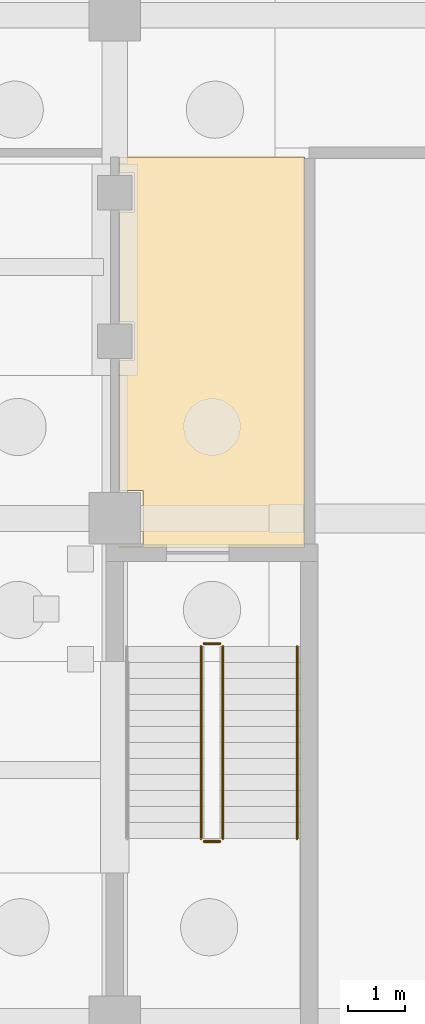
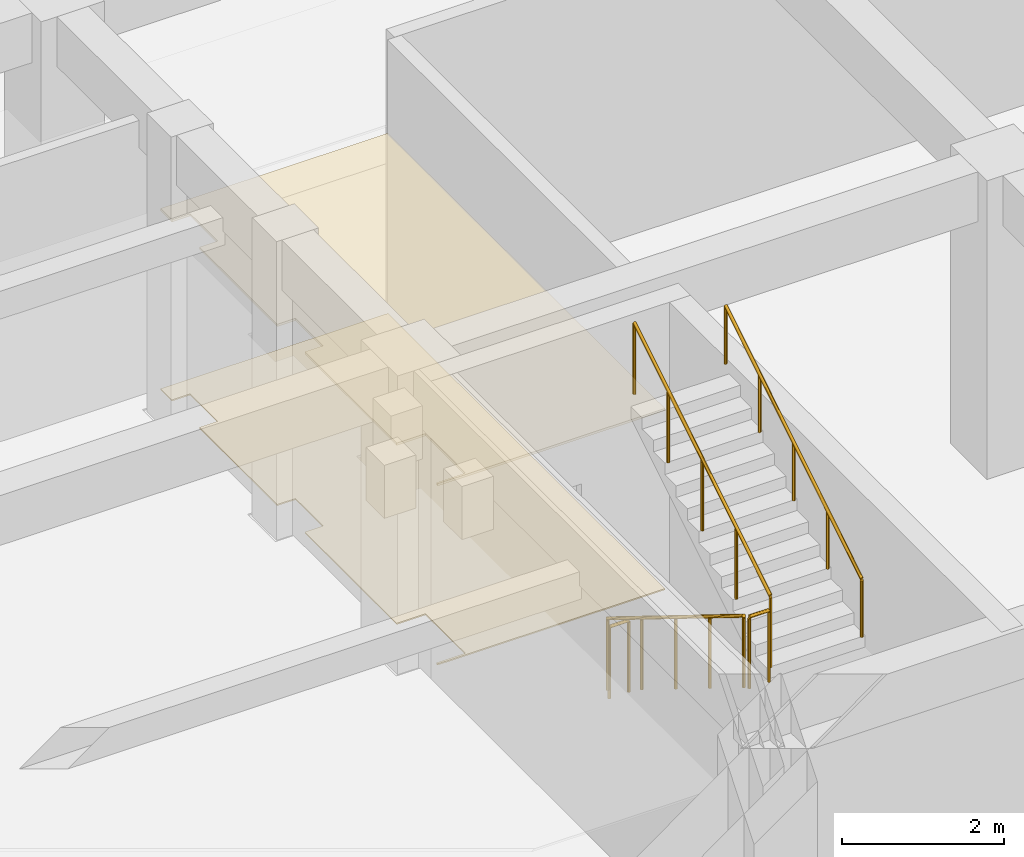
# One storey, part 37 of 41: 5 railings, 2 coverings.
"""IFC4 building model written with IfcOpenShell, lengths in metres."""

from ifc_helpers import new_model, si_unit, direction, frame, origin, origin_2d, place, context, subcontext, project, spatial, polyline, circle, outline, extrude, material, layer, layer_set, type_object, element, save


model = new_model("IFC4")

# Units and contexts
model_context = context("Model", 3, precision=1e-05, world=origin(), true_north=direction((0.0, 1.0)))
body_context = subcontext(model_context, "Body", "Model", "MODEL_VIEW")
ifc_project = project(units=[si_unit("LENGTHUNIT", "METRE"), si_unit("AREAUNIT", "SQUARE_METRE"), si_unit("VOLUMEUNIT", "CUBIC_METRE"), si_unit("PLANEANGLEUNIT", "RADIAN"), si_unit("MASSUNIT", "GRAM", prefix="KILO")], contexts=[model_context])

# Site, building, storey
site_placement = place(None, origin())
site = spatial("IfcSite", under=ifc_project, at=site_placement, CompositionType="ELEMENT")
building_placement = place(site_placement, origin())
building = spatial("IfcBuilding", under=site, at=building_placement, Name="Kemercrest Conservatory and Botanical Centre", CompositionType="ELEMENT")
storey_placement = place(building_placement, frame((0.0, 0.0, -4.5)))
storey = spatial("IfcBuildingStorey", under=building, at=storey_placement, Name="B1", CompositionType="ELEMENT", Elevation=-4.5)

# Coverings
ifc_material_1 = material(Name="Perforated acoustic gypsum and mineral-fibre suspended ceiling", Category="gypsum")
ifc_layer_1 = layer(ifc_material_1, 0.034912109375)
ifc_layer_set_1 = layer_set([ifc_layer_1], Name="Perforated acoustic gypsum and mineral-fibre suspended ceiling")
covering_type_1 = type_object("IfcCoveringType", Name="CV-CLG035", PredefinedType="CEILING", material=ifc_layer_set_1)
covering_1_placement = place(storey_placement, frame((0.0, 0.0, 2.699951171875)))
element("IfcCovering", 1, at=covering_1_placement, inside=storey, type_object=covering_type_1, Name="Basement West Stair Corridor suspended acoustic ceiling", PredefinedType="CEILING", context=body_context, shape_type="SweptSolid", body=[
    extrude(outline(polyline([(125.679931640625, 95.47998046875), (128.919921875, 95.47998046875), (128.919921875, 102.320068359375), (125.679931640625, 102.320068359375), (125.679931640625, 102.0400390625), (125.93994140625, 102.0400390625), (125.93994140625, 101.360107421875), (125.679931640625, 101.360107421875), (125.679931640625, 99.43994140625), (125.93994140625, 99.43994140625), (125.93994140625, 98.760009765625), (125.679931640625, 98.760009765625), (125.679931640625, 96.489990234375), (126.090087890625, 96.489990234375), (126.090087890625, 95.510009765625), (125.679931640625, 95.510009765625), (125.679931640625, 95.47998046875)])), origin(), (0.0, 0.0, 1.0), 0.03515625),
])
ifc_material_2 = material(Name="Polished limestone terrazzo and seamless laboratory epoxy flooring", Category="masonry")
ifc_layer_2 = layer(ifc_material_2, 0.02001953125)
ifc_layer_set_2 = layer_set([ifc_layer_2], Name="Polished limestone terrazzo and seamless laboratory epoxy flooring")
covering_type_2 = type_object("IfcCoveringType", Name="CV-FLR020", PredefinedType="FLOORING", material=ifc_layer_set_2)
covering_2_placement = place(storey_placement, origin())
element("IfcCovering", 2, at=covering_2_placement, inside=storey, type_object=covering_type_2, Name="Basement West Stair Corridor floor finish", PredefinedType="FLOORING", context=body_context, shape_type="SweptSolid", body=[
    extrude(outline(polyline([(125.679931640625, 95.47998046875), (128.919921875, 95.47998046875), (128.919921875, 102.320068359375), (125.679931640625, 102.320068359375), (125.679931640625, 102.0400390625), (125.93994140625, 102.0400390625), (125.93994140625, 101.360107421875), (125.679931640625, 101.360107421875), (125.679931640625, 99.43994140625), (125.93994140625, 99.43994140625), (125.93994140625, 98.760009765625), (125.679931640625, 98.760009765625), (125.679931640625, 96.489990234375), (126.090087890625, 96.489990234375), (126.090087890625, 95.510009765625), (125.679931640625, 95.510009765625), (125.679931640625, 95.47998046875)])), origin(), (0.0, 0.0, 1.0), 0.02001953125),
])

# Railings
ifc_material_3 = material(Name="Painted galvanized steel tubular stair guardrail", Category="steel")
railing_type_1 = type_object("IfcRailingType", Name="GR-STR110", PredefinedType="GUARDRAIL", material=ifc_material_3)
railing_1_placement = place(storey_placement, frame((127.110107421875, 93.760009765625, 0.173095703125)))
element("IfcRailing", 3, at=railing_1_placement, inside=storey, type_object=railing_type_1, Name="B1 ST-V4C stair guard 1", PredefinedType="GUARDRAIL", context=body_context, shape_type="SweptSolid", body=[
    extrude(circle(Radius=0.02392578125, at=origin_2d()), frame((0.0, 0.0, 1.076171875), z_axis=(0.0, -0.850623216509, 0.525775754039), x_axis=(1.0, 0.0, 0.0)), (0.0, 0.0, 1.0), 3.9501953125),
    extrude(circle(Radius=0.02099609375, at=origin_2d()), origin(), (0.0, 0.0, 1.0), 1.052001953125),
    extrude(circle(Radius=0.02099609375, at=origin_2d()), frame((0.0, -0.840087890625, 0.519287109375)), (0.0, 0.0, 1.0), 1.052001953125),
    extrude(circle(Radius=0.02099609375, at=origin_2d()), frame((0.0, -1.68017578125, 1.03857421875)), (0.0, 0.0, 1.0), 1.052001953125),
    extrude(circle(Radius=0.02099609375, at=origin_2d()), frame((0.0, -2.52001953125, 1.5576171875)), (0.0, 0.0, 1.0), 1.052001953125),
    extrude(circle(Radius=0.02099609375, at=origin_2d()), frame((0.0, -3.360107421875, 2.076904296875)), (0.0, 0.0, 1.0), 1.052001953125),
])
railing_2_placement = place(storey_placement, frame((127.159912109375, 90.35009765625, 2.25)))
element("IfcRailing", 4, at=railing_2_placement, inside=storey, type_object=railing_type_1, Name="B1 ST-V4C stair guard 2", PredefinedType="GUARDRAIL", context=body_context, shape_type="SweptSolid", body=[
    extrude(circle(Radius=0.02392578125, at=origin_2d()), frame((0.0, 0.0, 1.076171875), z_axis=(1.0, 0.0, 0.0), x_axis=(0.0, 1.0, 0.0)), (0.0, 0.0, 1.0), 0.280029296875),
    extrude(circle(Radius=0.02099609375, at=origin_2d()), origin(), (0.0, 0.0, 1.0), 1.052001953125),
    extrude(circle(Radius=0.02099609375, at=origin_2d()), frame((0.280029296875, 0.0, 0.0)), (0.0, 0.0, 1.0), 1.052001953125),
])
railing_3_placement = place(storey_placement, frame((127.489990234375, 90.39990234375, 2.423095703125)))
element("IfcRailing", 5, at=railing_3_placement, inside=storey, type_object=railing_type_1, Name="B1 ST-V4C stair guard 3", PredefinedType="GUARDRAIL", context=body_context, shape_type="SweptSolid", body=[
    extrude(circle(Radius=0.02392578125, at=origin_2d()), frame((0.0, 0.0, 1.076171875), z_axis=(0.0, 0.850623216509, 0.525775754039), x_axis=(-1.0, 0.0, 0.0)), (0.0, 0.0, 1.0), 3.9501953125),
    extrude(circle(Radius=0.02099609375, at=origin_2d()), origin(), (0.0, 0.0, 1.0), 1.052001953125),
    extrude(circle(Radius=0.02099609375, at=origin_2d()), frame((0.0, 0.840087890625, 0.519287109375)), (0.0, 0.0, 1.0), 1.052001953125),
    extrude(circle(Radius=0.02099609375, at=origin_2d()), frame((0.0, 1.68017578125, 1.03857421875)), (0.0, 0.0, 1.0), 1.052001953125),
    extrude(circle(Radius=0.02099609375, at=origin_2d()), frame((0.0, 2.52001953125, 1.5576171875)), (0.0, 0.0, 1.0), 1.052001953125),
    extrude(circle(Radius=0.02099609375, at=origin_2d()), frame((0.0, 3.360107421875, 2.076904296875)), (0.0, 0.0, 1.0), 1.052001953125),
])
railing_4_placement = place(storey_placement, frame((127.159912109375, 93.81005859375, 0.0)))
element("IfcRailing", 6, at=railing_4_placement, inside=storey, type_object=railing_type_1, Name="B1 ST-V4C stair guard 4", PredefinedType="GUARDRAIL", context=body_context, shape_type="SweptSolid", body=[
    extrude(circle(Radius=0.02392578125, at=origin_2d()), frame((0.0, 0.0, 1.076171875), z_axis=(1.0, 0.0, 0.0), x_axis=(0.0, 1.0, 0.0)), (0.0, 0.0, 1.0), 0.280029296875),
    extrude(circle(Radius=0.02099609375, at=origin_2d()), origin(), (0.0, 0.0, 1.0), 1.052001953125),
    extrude(circle(Radius=0.02099609375, at=origin_2d()), frame((0.280029296875, 0.0, 0.0)), (0.0, 0.0, 1.0), 1.052001953125),
])
ifc_material_4 = material(Name="Brushed stainless steel wall-mounted handrail", Category="steel")
railing_type_2 = type_object("IfcRailingType", Name="HR-STR090", PredefinedType="HANDRAIL", material=ifc_material_4)
railing_5_placement = place(storey_placement, frame((128.7900390625, 90.39990234375, 2.423095703125)))
element("IfcRailing", 7, at=railing_5_placement, inside=storey, type_object=railing_type_2, Name="B1 ST-V4C stair handrail 2", PredefinedType="HANDRAIL", context=body_context, shape_type="SweptSolid", body=[
    extrude(circle(Radius=0.02392578125, at=origin_2d()), frame((0.0, 0.0, 0.8759765625), z_axis=(0.0, 0.850623216509, 0.525775754039), x_axis=(-1.0, 0.0, 0.0)), (0.0, 0.0, 1.0), 3.9501953125),
    extrude(circle(Radius=0.02099609375, at=origin_2d()), origin(), (0.0, 0.0, 1.0), 0.851806640625),
    extrude(circle(Radius=0.02099609375, at=origin_2d()), frame((0.0, 0.840087890625, 0.519287109375)), (0.0, 0.0, 1.0), 0.851806640625),
    extrude(circle(Radius=0.02099609375, at=origin_2d()), frame((0.0, 1.68017578125, 1.03857421875)), (0.0, 0.0, 1.0), 0.851806640625),
    extrude(circle(Radius=0.02099609375, at=origin_2d()), frame((0.0, 2.52001953125, 1.5576171875)), (0.0, 0.0, 1.0), 0.851806640625),
    extrude(circle(Radius=0.02099609375, at=origin_2d()), frame((0.0, 3.360107421875, 2.076904296875)), (0.0, 0.0, 1.0), 0.851806640625),
])

save(model, "model.ifc")
